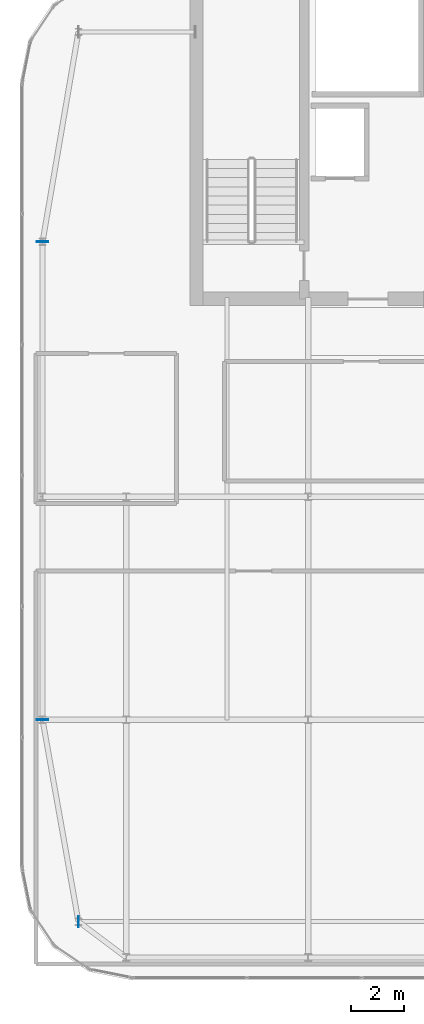
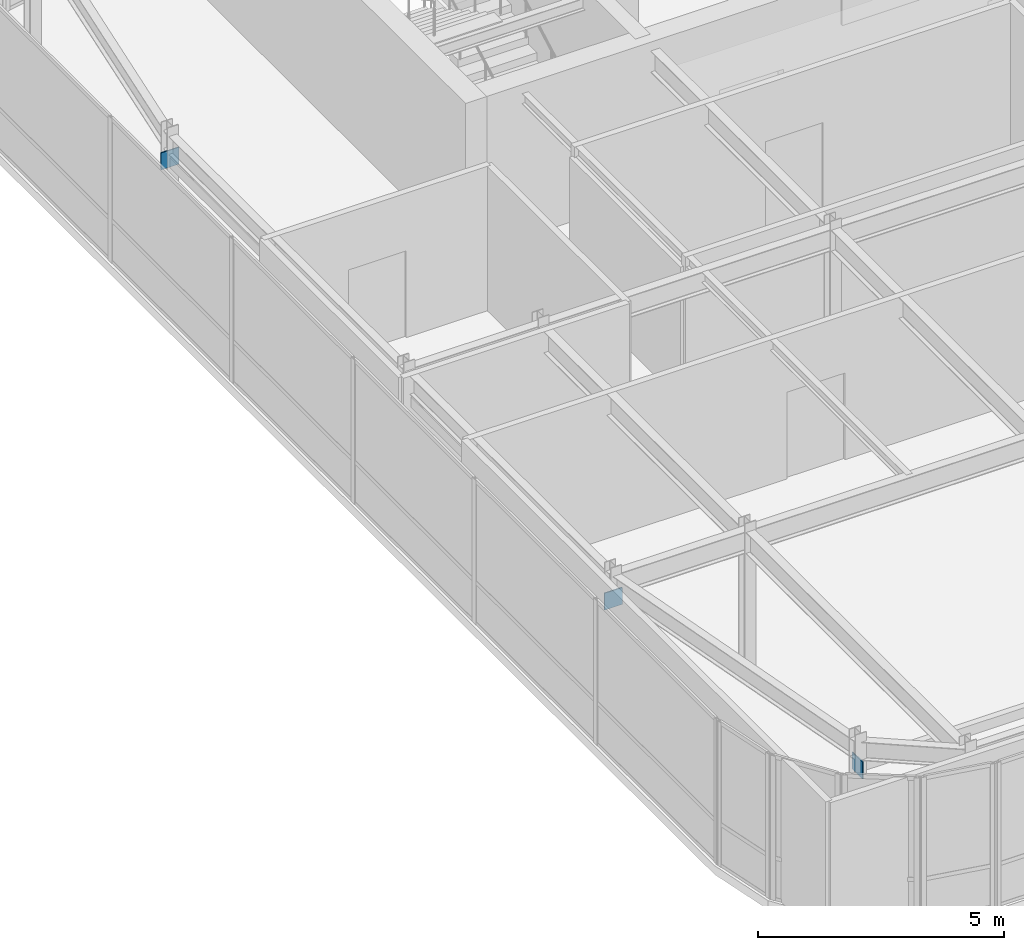
# One storey, part 31 of 36: 3 plates.
"""IFC4 building model written with IfcOpenShell, lengths in metres."""

from ifc_helpers import new_model, si_unit, direction, frame, origin, origin_2d, place, context, subcontext, project, spatial, rectangle, extrude, source, transform, mapped, material, layer, layer_set, type_object, type_shapes, element, save


model = new_model("IFC4")

# Units and contexts
model_context = context("Model", 3, precision=1e-05, world=origin(), true_north=direction((0.0, 1.0)))
body_context = subcontext(model_context, "Body", "Model", "MODEL_VIEW")
ifc_project = project(units=[si_unit("LENGTHUNIT", "METRE"), si_unit("AREAUNIT", "SQUARE_METRE"), si_unit("VOLUMEUNIT", "CUBIC_METRE"), si_unit("PLANEANGLEUNIT", "RADIAN"), si_unit("MASSUNIT", "GRAM", prefix="KILO")], contexts=[model_context])

# Site, building, storey
site_placement = place(None, origin())
site = spatial("IfcSite", under=ifc_project, at=site_placement, CompositionType="ELEMENT")
building_placement = place(site_placement, origin())
building = spatial("IfcBuilding", under=site, at=building_placement, Name="Tolvann Quenvar Hotel", CompositionType="ELEMENT")
storey_placement = place(building_placement, frame((0.0, 0.0, 294.75)))
storey = spatial("IfcBuildingStorey", under=building, at=storey_placement, Name="L78", CompositionType="ELEMENT", Elevation=294.75)

# Plates
ifc_material = material(Name="Steel Grade 350", Category="steel")
ifc_layer = layer(ifc_material, 0.02490234375)
ifc_layer_set = layer_set([ifc_layer], Name="Steel Grade 350")
plate_type = type_object("IfcPlateType", Name="PLT_ENDCAP_25", PredefinedType="SHEET", material=ifc_layer_set)
shared_shape_1 = source(origin(), body_context, "Body", "SweptSolid", [
    extrude(rectangle(XDim=0.02490234375, YDim=0.419921875, at=origin_2d()), origin(), (0.0, 0.0, 1.0), 0.419921875),
])
plate_placement = place(storey_placement, frame((5.800048828125, 8.39990234375, 2.719970703125), z_axis=(0.0, 0.0, 1.0), x_axis=(1.0, 0.0, 0.0)))
element("IfcPlate", 1, at=plate_placement, inside=storey, type_object=plate_type, Name="Crown Ring End Cap Plate EC-1 (L78-1-1)", PredefinedType="SHEET", context=body_context, shape_type="MappedRepresentation", body=[
    mapped(shared_shape_1, transform((0.0, 0.0, 0.0), x_axis=(1.0, 0.0, 0.0), y_axis=(0.0, 1.0, 0.0), z_axis=(0.0, 0.0, 1.0), scale=1.0)),
])
shared_shape_2 = source(origin(), body_context, "Body", "SweptSolid", [
    extrude(rectangle(XDim=0.419921875, YDim=0.02490234375, at=origin_2d()), origin(), (0.0, 0.0, 1.0), 0.419921875),
])
type_shapes(plate_type, [shared_shape_1, shared_shape_2])
for number, where, z_axis, x_axis, name in (
    (2, (4.449951171875, 16.0, 2.719970703125), (0.0, 0.0, 1.0), (1.0, 0.0, 0.0), "Crown Ring End Cap Plate EC-1 (L78-2-1)"),
    (3, (4.449951171875, 34.0, 2.719970703125), (0.0, 0.0, 1.0), (1.0, 0.0, 0.0), "Crown Ring End Cap Plate EC-1 (L78-2-2)"),
):
    element("IfcPlate", number, at=place(storey_placement, frame(where, z_axis=z_axis, x_axis=x_axis)), inside=storey, type_object=plate_type, Name=name, PredefinedType="SHEET", context=body_context, shape_type="MappedRepresentation", body=[
        mapped(shared_shape_2, transform((0.0, 0.0, 0.0), x_axis=(1.0, 0.0, 0.0), y_axis=(0.0, 1.0, 0.0), z_axis=(0.0, 0.0, 1.0), scale=1.0)),
    ])

save(model, "model.ifc")
